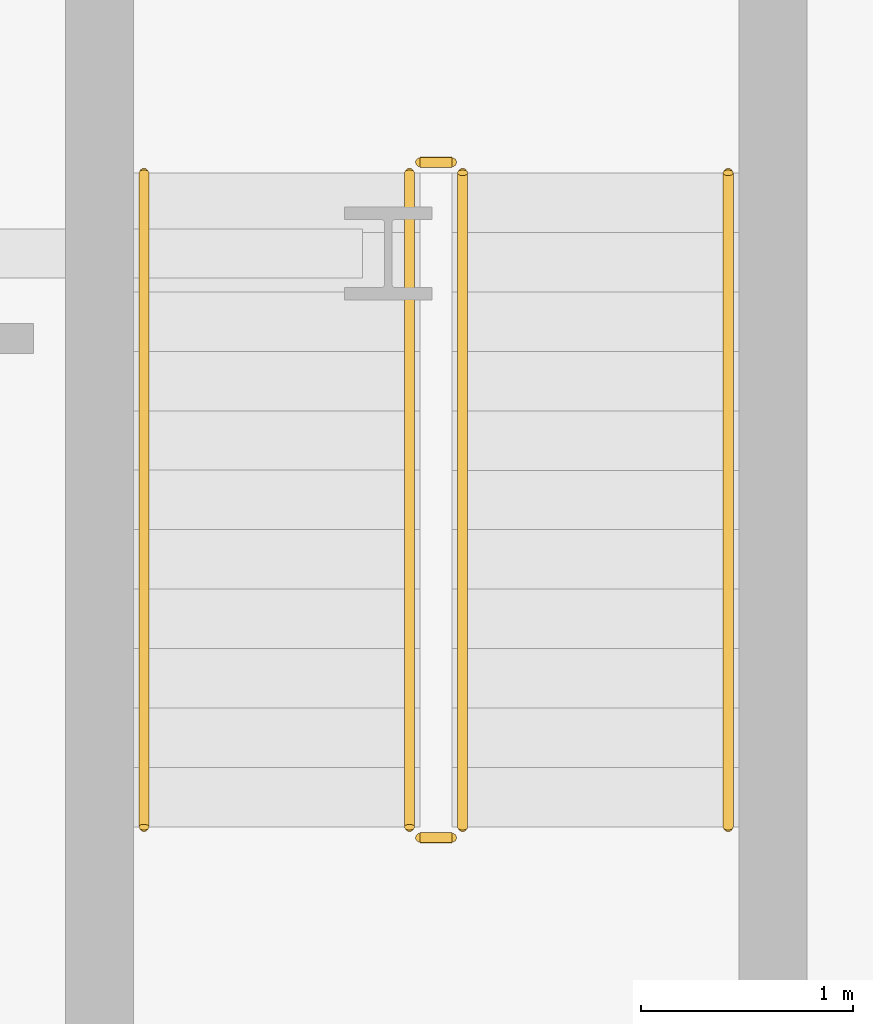
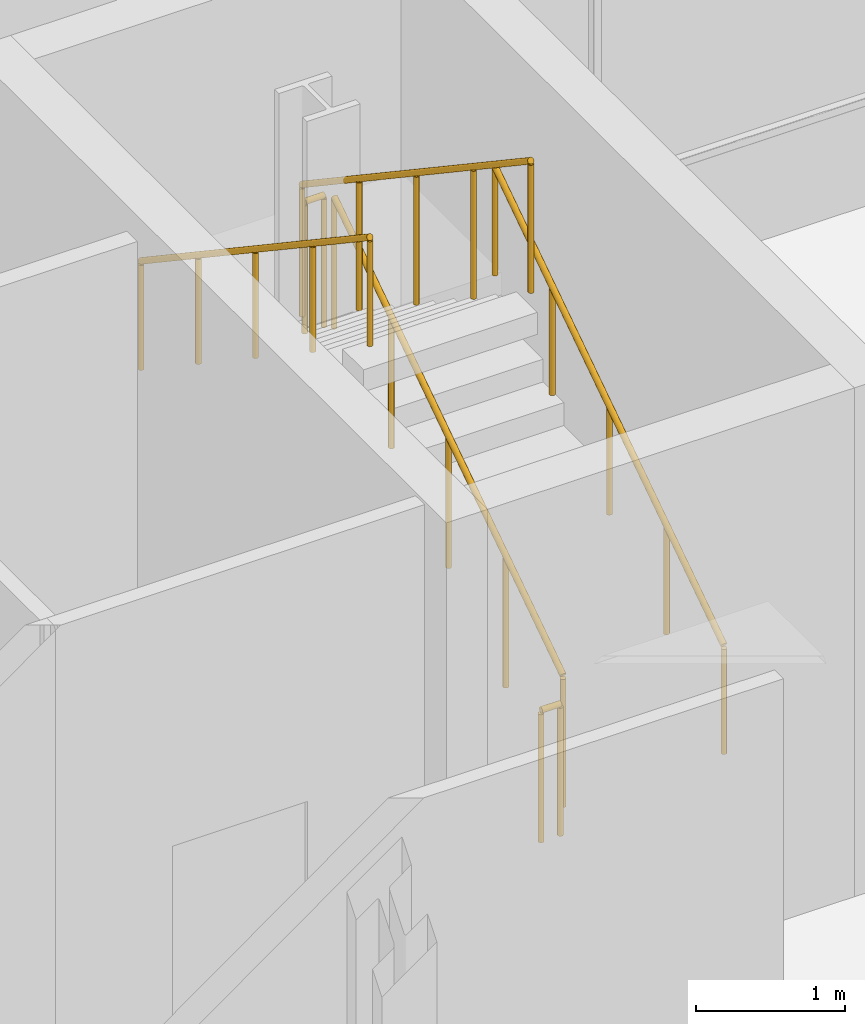
# One storey, part 27 of 28: 6 railings.
"""IFC4 building model written with IfcOpenShell, lengths in metres."""

from ifc_helpers import new_model, si_unit, direction, frame, origin, origin_2d, place, context, subcontext, project, spatial, circle, extrude, material, type_object, element, save


model = new_model("IFC4")

# Units and contexts
model_context = context("Model", 3, precision=1e-05, world=origin(), true_north=direction((0.0, 1.0)))
body_context = subcontext(model_context, "Body", "Model", "MODEL_VIEW")
ifc_project = project(units=[si_unit("LENGTHUNIT", "METRE"), si_unit("AREAUNIT", "SQUARE_METRE"), si_unit("VOLUMEUNIT", "CUBIC_METRE"), si_unit("PLANEANGLEUNIT", "RADIAN"), si_unit("MASSUNIT", "GRAM", prefix="KILO")], contexts=[model_context])

# Site, building, storey
site_placement = place(None, origin())
site = spatial("IfcSite", under=ifc_project, at=site_placement, CompositionType="ELEMENT")
building_placement = place(site_placement, origin())
building = spatial("IfcBuilding", under=site, at=building_placement, Name="Brevholm Reach", CompositionType="ELEMENT")
storey_placement = place(building_placement, origin())
storey = spatial("IfcBuildingStorey", under=building, at=storey_placement, Name="L00", CompositionType="ELEMENT", Elevation=0.0)

# Railings
ifc_material_1 = material(Name="Brushed Stainless Steel EN 1.4401 Continuous Handrail", Category="steel")
railing_type_1 = type_object("IfcRailingType", Name="RAL-HND-950", PredefinedType="HANDRAIL", material=ifc_material_1)
railing_1_placement = place(storey_placement, frame((58.60009765625, 34.5, 0.1875)))
element("IfcRailing", 1, at=railing_1_placement, inside=storey, type_object=railing_type_1, Name="L00 ST-S4 stair handrail 1", PredefinedType="HANDRAIL", context=body_context, shape_type="SweptSolid", body=[
    extrude(circle(Radius=0.02392578125, at=origin_2d()), frame((0.0, 0.0, 0.8857421875), z_axis=(0.0, 0.830913701846, 0.55640131208), x_axis=(-1.0, 0.0, 0.0)), (0.0, 0.0, 1.0), 3.706787109375),
    extrude(circle(Radius=0.02099609375, at=origin_2d()), origin(), (0.0, 0.0, 1.0), 0.86181640625),
    extrude(circle(Radius=0.02099609375, at=origin_2d()), frame((0.0, 0.77001953125, 0.515625)), (0.0, 0.0, 1.0), 0.86181640625),
    extrude(circle(Radius=0.02099609375, at=origin_2d()), frame((0.0, 1.5400390625, 1.03125)), (0.0, 0.0, 1.0), 0.86181640625),
    extrude(circle(Radius=0.02099609375, at=origin_2d()), frame((0.0, 2.31005859375, 1.546875)), (0.0, 0.0, 1.0), 0.86181640625),
    extrude(circle(Radius=0.02099609375, at=origin_2d()), frame((0.0, 3.080078125, 2.0625)), (0.0, 0.0, 1.0), 0.86181640625),
])
railing_2_placement = place(storey_placement, frame((55.85009765625, 37.580078125, 2.4375)))
element("IfcRailing", 2, at=railing_2_placement, inside=storey, type_object=railing_type_1, Name="L00 ST-S4 stair handrail 2", PredefinedType="HANDRAIL", context=body_context, shape_type="SweptSolid", body=[
    extrude(circle(Radius=0.02392578125, at=origin_2d()), frame((0.0, 0.0, 0.8857421875), z_axis=(0.0, -0.830913701846, 0.55640131208), x_axis=(1.0, 0.0, 0.0)), (0.0, 0.0, 1.0), 3.706787109375),
    extrude(circle(Radius=0.02099609375, at=origin_2d()), origin(), (0.0, 0.0, 1.0), 0.86181640625),
    extrude(circle(Radius=0.02099609375, at=origin_2d()), frame((0.0, -0.77001953125, 0.515625)), (0.0, 0.0, 1.0), 0.86181640625),
    extrude(circle(Radius=0.02099609375, at=origin_2d()), frame((0.0, -1.5400390625, 1.03125)), (0.0, 0.0, 1.0), 0.86181640625),
    extrude(circle(Radius=0.02099609375, at=origin_2d()), frame((0.0, -2.31005859375, 1.546875)), (0.0, 0.0, 1.0), 0.86181640625),
    extrude(circle(Radius=0.02099609375, at=origin_2d()), frame((0.0, -3.080078125, 2.0625)), (0.0, 0.0, 1.0), 0.86181640625),
])
ifc_material_2 = material(Name="Painted Tubular Galvanised Steel S275JR Stair Guard", Category="steel")
railing_type_2 = type_object("IfcRailingType", Name="RAL-STG-1120", PredefinedType="BALUSTRADE", material=ifc_material_2)
railing_3_placement = place(storey_placement, frame((57.35009765625, 34.5, 0.1875)))
element("IfcRailing", 3, at=railing_3_placement, inside=storey, type_object=railing_type_2, Name="L00 ST-S4 stair guard 1", PredefinedType="BALUSTRADE", context=body_context, shape_type="SweptSolid", body=[
    extrude(circle(Radius=0.02392578125, at=origin_2d()), frame((0.0, 0.0, 1.076171875), z_axis=(0.0, 0.830913701846, 0.55640131208), x_axis=(-1.0, 0.0, 0.0)), (0.0, 0.0, 1.0), 3.706787109375),
    extrude(circle(Radius=0.02099609375, at=origin_2d()), origin(), (0.0, 0.0, 1.0), 1.052001953125),
    extrude(circle(Radius=0.02099609375, at=origin_2d()), frame((0.0, 0.77001953125, 0.515625)), (0.0, 0.0, 1.0), 1.052001953125),
    extrude(circle(Radius=0.02099609375, at=origin_2d()), frame((0.0, 1.5400390625, 1.03125)), (0.0, 0.0, 1.0), 1.052001953125),
    extrude(circle(Radius=0.02099609375, at=origin_2d()), frame((0.0, 2.31005859375, 1.546875)), (0.0, 0.0, 1.0), 1.052001953125),
    extrude(circle(Radius=0.02099609375, at=origin_2d()), frame((0.0, 3.080078125, 2.0625)), (0.0, 0.0, 1.0), 1.052001953125),
])
railing_4_placement = place(storey_placement, frame((57.300048828125, 37.6298828125, 2.25)))
element("IfcRailing", 4, at=railing_4_placement, inside=storey, type_object=railing_type_2, Name="L00 ST-S4 stair guard 2", PredefinedType="BALUSTRADE", context=body_context, shape_type="SweptSolid", body=[
    extrude(circle(Radius=0.02392578125, at=origin_2d()), frame((0.0, 0.0, 1.076171875), z_axis=(-1.0, 0.0, 0.0), x_axis=(0.0, -1.0, 0.0)), (0.0, 0.0, 1.0), 0.150146484375),
    extrude(circle(Radius=0.02099609375, at=origin_2d()), origin(), (0.0, 0.0, 1.0), 1.052001953125),
    extrude(circle(Radius=0.02099609375, at=origin_2d()), frame((-0.150146484375, 0.0, 0.0)), (0.0, 0.0, 1.0), 1.052001953125),
])
railing_5_placement = place(storey_placement, frame((57.10009765625, 37.580078125, 2.4375)))
element("IfcRailing", 5, at=railing_5_placement, inside=storey, type_object=railing_type_2, Name="L00 ST-S4 stair guard 3", PredefinedType="BALUSTRADE", context=body_context, shape_type="SweptSolid", body=[
    extrude(circle(Radius=0.02392578125, at=origin_2d()), frame((0.0, 0.0, 1.076171875), z_axis=(0.0, -0.830913701846, 0.55640131208), x_axis=(1.0, 0.0, 0.0)), (0.0, 0.0, 1.0), 3.706787109375),
    extrude(circle(Radius=0.02099609375, at=origin_2d()), origin(), (0.0, 0.0, 1.0), 1.052001953125),
    extrude(circle(Radius=0.02099609375, at=origin_2d()), frame((0.0, -0.77001953125, 0.515625)), (0.0, 0.0, 1.0), 1.052001953125),
    extrude(circle(Radius=0.02099609375, at=origin_2d()), frame((0.0, -1.5400390625, 1.03125)), (0.0, 0.0, 1.0), 1.052001953125),
    extrude(circle(Radius=0.02099609375, at=origin_2d()), frame((0.0, -2.31005859375, 1.546875)), (0.0, 0.0, 1.0), 1.052001953125),
    extrude(circle(Radius=0.02099609375, at=origin_2d()), frame((0.0, -3.080078125, 2.0625)), (0.0, 0.0, 1.0), 1.052001953125),
])
railing_6_placement = place(storey_placement, frame((57.300048828125, 34.449951171875, 0.0)))
element("IfcRailing", 6, at=railing_6_placement, inside=storey, type_object=railing_type_2, Name="L00 ST-S4 stair guard 4", PredefinedType="BALUSTRADE", context=body_context, shape_type="SweptSolid", body=[
    extrude(circle(Radius=0.02392578125, at=origin_2d()), frame((0.0, 0.0, 1.076171875), z_axis=(-1.0, 0.0, 0.0), x_axis=(0.0, -1.0, 0.0)), (0.0, 0.0, 1.0), 0.150146484375),
    extrude(circle(Radius=0.02099609375, at=origin_2d()), origin(), (0.0, 0.0, 1.0), 1.052001953125),
    extrude(circle(Radius=0.02099609375, at=origin_2d()), frame((-0.150146484375, 0.0, 0.0)), (0.0, 0.0, 1.0), 1.052001953125),
])

save(model, "model.ifc")
